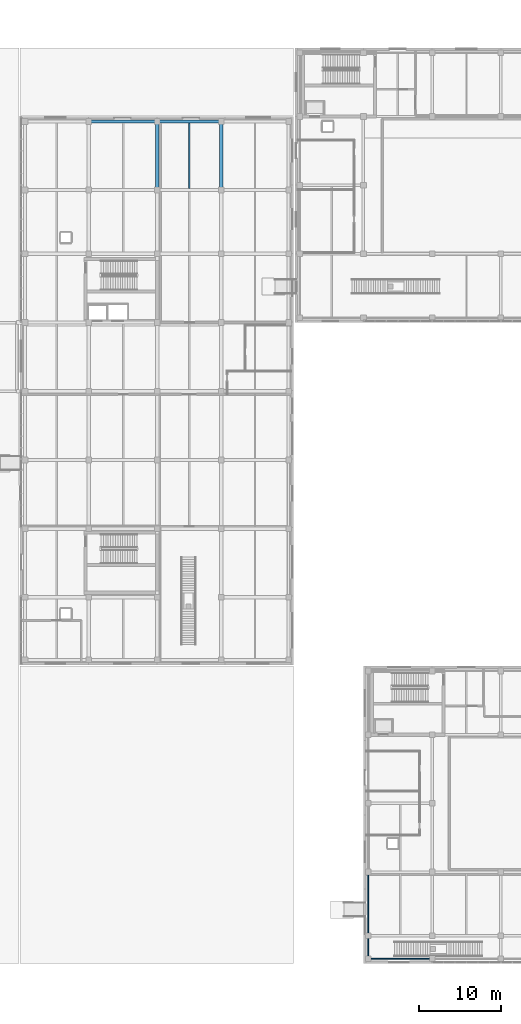
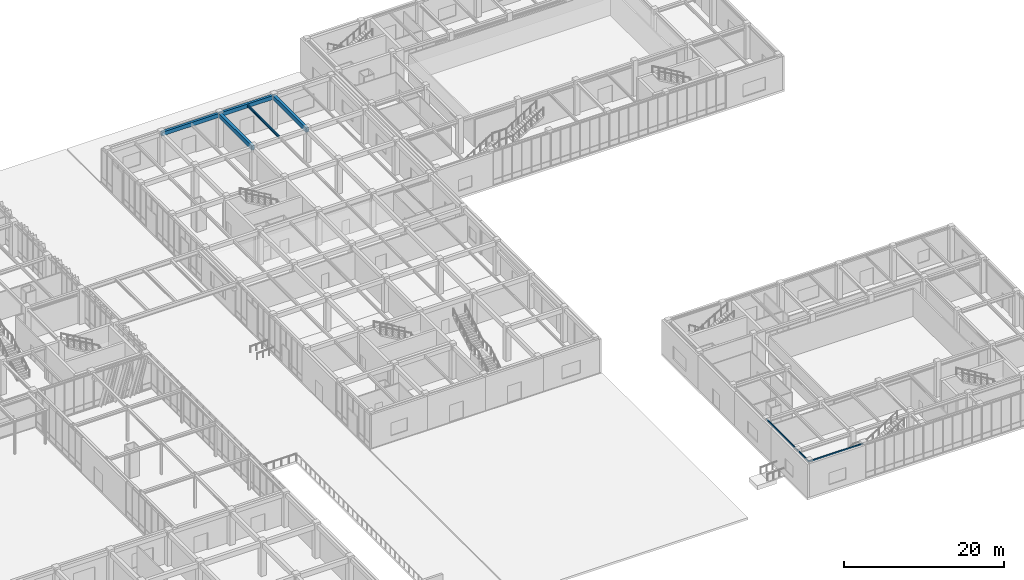
# One storey, part 67 of 122: 8 beams.
"""IFC4 building model written with IfcOpenShell, lengths in metres."""

from ifc_helpers import new_model, si_unit, direction, frame, origin, origin_2d, place, context, subcontext, project, spatial, rectangle, hollow_rectangle, i_section, extrude, material, material_profile, profile_set, type_object, element, save


model = new_model("IFC4")

# Units and contexts
model_context = context("Model", 3, precision=1e-05, world=origin(), true_north=direction((0.0, 1.0)))
body_context = subcontext(model_context, "Body", "Model", "MODEL_VIEW")
ifc_project = project(units=[si_unit("LENGTHUNIT", "METRE"), si_unit("AREAUNIT", "SQUARE_METRE"), si_unit("VOLUMEUNIT", "CUBIC_METRE"), si_unit("PLANEANGLEUNIT", "RADIAN"), si_unit("MASSUNIT", "GRAM", prefix="KILO")], contexts=[model_context])

# Site, building, storey
site_placement = place(None, origin())
site = spatial("IfcSite", under=ifc_project, at=site_placement, CompositionType="ELEMENT")
building_placement = place(site_placement, origin())
building = spatial("IfcBuilding", under=site, at=building_placement, Name="Zayran Congress Hotel", CompositionType="ELEMENT")
storey_placement = place(building_placement, origin())
storey = spatial("IfcBuildingStorey", under=building, at=storey_placement, Name="L00", CompositionType="ELEMENT", Elevation=0.0)

# Beams
ifc_material_1 = material(Name="Concrete C40/50", Category="concrete")
ifc_material_profile_1 = material_profile(ifc_material_1, rectangle(XDim=0.39990234375, YDim=0.64990234375, at=origin_2d()), Name="RC 400x650")
ifc_profile_set_1 = profile_set([ifc_material_profile_1], Name="Concrete C40/50")
beam_type_1 = type_object("IfcBeamType", Name="TP-BM-03", PredefinedType="BEAM", material=ifc_profile_set_1)
for number, where, z_axis, x_axis, name in (
    (1, (126.0, 100.60009765625, 4.77490234375), (0.0, 1.0, 0.0), (-1.0, 0.0, 0.0), "BM-V4-L00-1263"),
    (2, (133.800048828125, 100.60009765625, 4.77490234375), (0.0, 1.0, 0.0), (-1.0, 0.0, 0.0), "BM-V4-L00-1271"),
):
    element("IfcBeam", number, at=place(storey_placement, frame(where, z_axis=z_axis, x_axis=x_axis)), inside=storey, type_object=beam_type_1, Name=name, PredefinedType="BEAM", context=body_context, shape_type="SweptSolid", body=[
        extrude(rectangle(XDim=0.39990234375, YDim=0.64990234375, at=origin_2d()), origin(), (0.0, 0.0, 1.0), 8.39990234375),
    ])
ifc_material_profile_2 = material_profile(ifc_material_1, rectangle(XDim=0.35009765625, YDim=0.60009765625, at=origin_2d()), Name="RC 350x600")
ifc_profile_set_2 = profile_set([ifc_material_profile_2], Name="Concrete C40/50")
beam_type_2 = type_object("IfcBeamType", Name="TP-SP-01", PredefinedType="SPANDREL", material=ifc_profile_set_2)
beam_1_placement = place(storey_placement, frame((117.60009765625, 109.0, 4.800048828125), z_axis=(1.0, 0.0, 0.0), x_axis=(0.0, 1.0, 0.0)))
element("IfcBeam", 3, at=beam_1_placement, inside=storey, type_object=beam_type_2, Name="BM-V4-L00-1239", PredefinedType="SPANDREL", context=body_context, shape_type="SweptSolid", body=[
    extrude(rectangle(XDim=0.35009765625, YDim=0.60009765625, at=origin_2d()), origin(), (0.0, 0.0, 1.0), 8.39990234375),
])
beam_2_placement = place(storey_placement, frame((126.0, 109.0, 4.800048828125), z_axis=(1.0, 0.0, 0.0), x_axis=(0.0, 1.0, 0.0)))
element("IfcBeam", 4, at=beam_2_placement, inside=storey, type_object=beam_type_2, Name="BM-V4-L00-1240", PredefinedType="SPANDREL", context=body_context, shape_type="SweptSolid", body=[
    extrude(rectangle(XDim=0.35009765625, YDim=0.60009765625, at=origin_2d()), origin(), (0.0, 0.0, 1.0), 7.800048828125),
])
ifc_material_2 = material(Name="Steel S355", Category="steel")
ifc_material_profile_3 = material_profile(ifc_material_2, i_section(OverallWidth=0.169921875, OverallDepth=0.360107421875, WebThickness=0.008056640625, FlangeThickness=0.0126953125, at=origin_2d()), Name="IPE 360")
ifc_profile_set_3 = profile_set([ifc_material_profile_3], Name="Steel S355")
beam_type_3 = type_object("IfcBeamType", Name="TP-JS-04", PredefinedType="JOIST", material=ifc_profile_set_3)
beam_3_placement = place(storey_placement, frame((129.89990234375, 100.800048828125, 4.919921875), z_axis=(0.0, 1.0, 0.0), x_axis=(-1.0, 0.0, 0.0)))
element("IfcBeam", 5, at=beam_3_placement, inside=storey, type_object=beam_type_3, Name="JST-V4-L00-1299", PredefinedType="JOIST", context=body_context, shape_type="SweptSolid", body=[
    extrude(i_section(OverallWidth=0.169921875, OverallDepth=0.360107421875, WebThickness=0.008056640625, FlangeThickness=0.0126953125, at=origin_2d()), origin(), (0.0, 0.0, 1.0), 8.02490234375),
])
ifc_material_profile_4 = material_profile(ifc_material_2, hollow_rectangle(XDim=0.1201171875, YDim=0.199951171875, WallThickness=0.008056640625, at=origin_2d()), Name="RHS 200x120x8")
ifc_profile_set_4 = profile_set([ifc_material_profile_4], Name="Steel S355")
beam_type_4 = type_object("IfcBeamType", Name="TP-SP-02", PredefinedType="SPANDREL", material=ifc_profile_set_4)
beam_4_placement = place(storey_placement, frame((151.800048828125, 6.60009765625, 5.0), z_axis=(1.0, 0.0, 0.0), x_axis=(0.0, 1.0, 0.0)))
element("IfcBeam", 6, at=beam_4_placement, inside=storey, type_object=beam_type_4, Name="BM-V3-L00-1049", PredefinedType="SPANDREL", context=body_context, shape_type="SweptSolid", body=[
    extrude(hollow_rectangle(XDim=0.1201171875, YDim=0.199951171875, WallThickness=0.008056640625, at=origin_2d()), origin(), (0.0, 0.0, 1.0), 7.800048828125),
])
beam_5_placement = place(storey_placement, frame((151.800048828125, 6.60009765625, 5.0), z_axis=(0.0, 1.0, 0.0), x_axis=(-1.0, 0.0, 0.0)))
element("IfcBeam", 7, at=beam_5_placement, inside=storey, type_object=beam_type_4, Name="BM-V3-L00-1076", PredefinedType="SPANDREL", context=body_context, shape_type="SweptSolid", body=[
    extrude(hollow_rectangle(XDim=0.1201171875, YDim=0.199951171875, WallThickness=0.008056640625, at=origin_2d()), origin(), (0.0, 0.0, 1.0), 2.7998046875),
])
beam_6_placement = place(storey_placement, frame((151.800048828125, 9.39990234375, 5.0), z_axis=(0.0, 1.0, 0.0), x_axis=(-1.0, 0.0, 0.0)))
element("IfcBeam", 8, at=beam_6_placement, inside=storey, type_object=beam_type_4, Name="BM-V3-L00-1077", PredefinedType="SPANDREL", context=body_context, shape_type="SweptSolid", body=[
    extrude(hollow_rectangle(XDim=0.1201171875, YDim=0.199951171875, WallThickness=0.008056640625, at=origin_2d()), origin(), (0.0, 0.0, 1.0), 7.800048828125),
])

save(model, "model.ifc")
